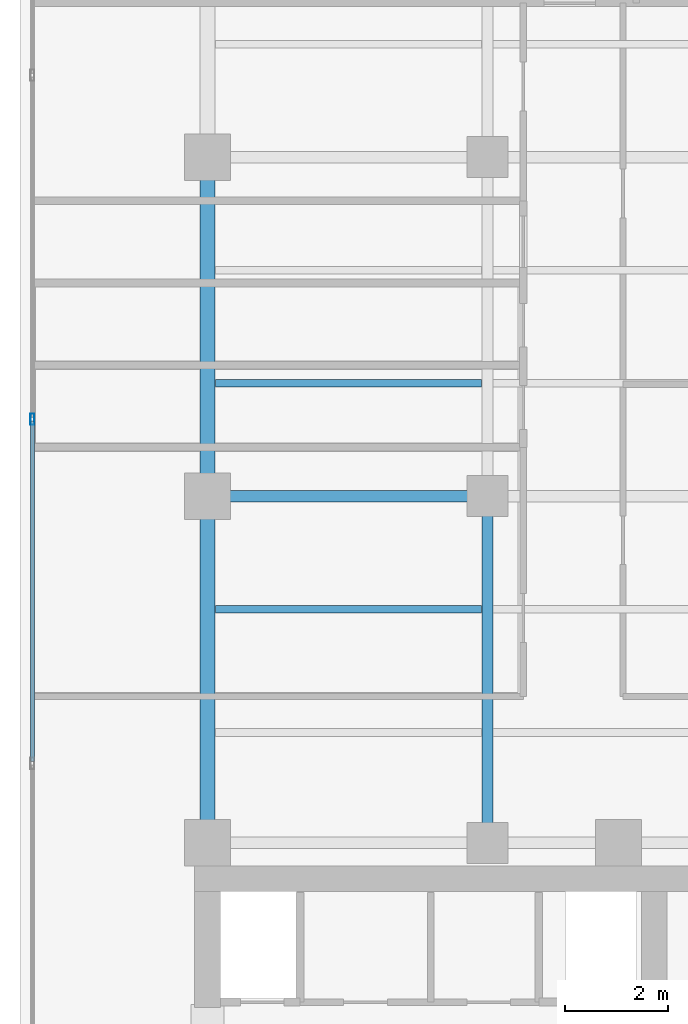
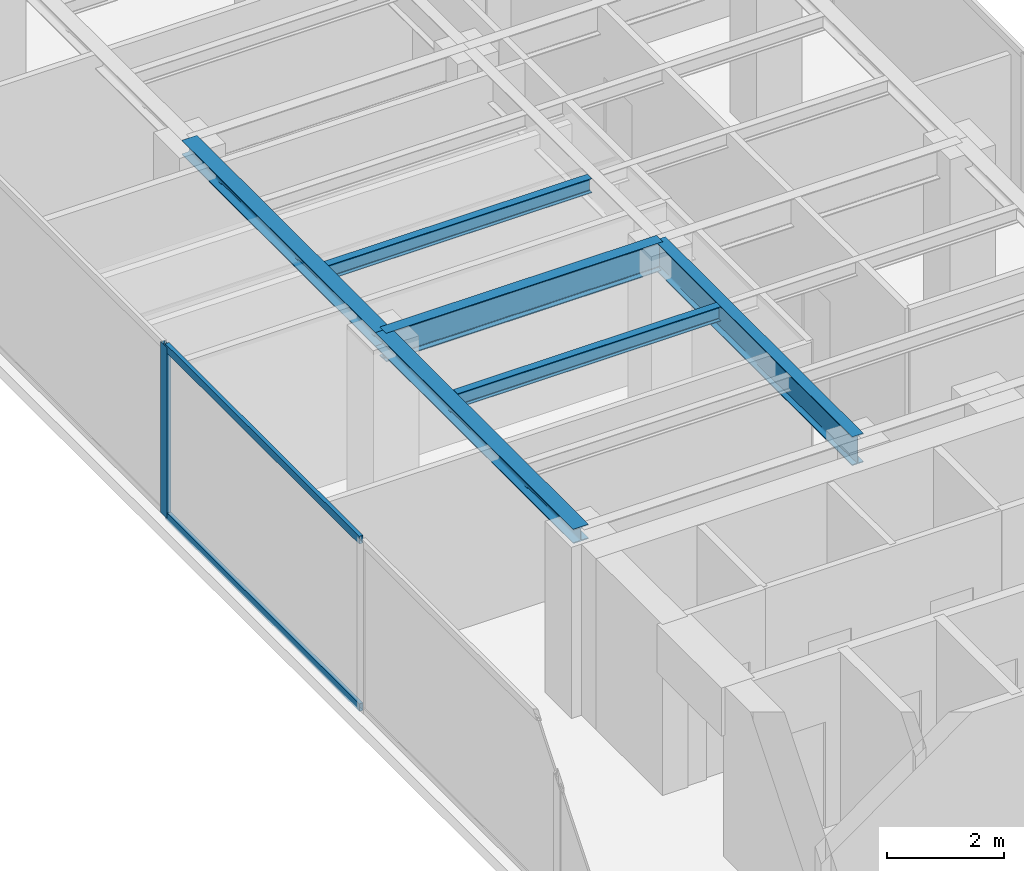
# One storey, part 7 of 23: 6 beams, 3 members, 1 element without a shape of its own.
"""IFC4 building model written with IfcOpenShell, lengths in metres."""

from ifc_helpers import new_model, si_unit, direction, frame, origin, origin_with_axes, origin_2d, place, context, subcontext, project, spatial, hollow_rectangle, i_section, extrude, source, transform, mapped, material, layer, layer_set, material_profile, profile_set, type_object, element, aggregate, save


model = new_model("IFC4")

# Units and contexts
model_context = context("Model", 3, precision=1e-05, world=origin(), true_north=direction((0.0, 1.0)))
body_context = subcontext(model_context, "Body", "Model", "MODEL_VIEW")
ifc_project = project(units=[si_unit("LENGTHUNIT", "METRE"), si_unit("AREAUNIT", "SQUARE_METRE"), si_unit("VOLUMEUNIT", "CUBIC_METRE"), si_unit("PLANEANGLEUNIT", "RADIAN"), si_unit("MASSUNIT", "GRAM", prefix="KILO")], contexts=[model_context])

# Site, building, storey
site_placement = place(None, origin())
site = spatial("IfcSite", under=ifc_project, at=site_placement, CompositionType="ELEMENT")
building_placement = place(site_placement, origin())
building = spatial("IfcBuilding", under=site, at=building_placement, Name="Kolvaren Waterfront Exchange", CompositionType="ELEMENT")
storey_placement = place(building_placement, frame((0.0, 0.0, 304.60009765625)))
storey = spatial("IfcBuildingStorey", under=building, at=storey_placement, Name="L78", CompositionType="ELEMENT", Elevation=304.60009765625)

# Beams
ifc_material_1 = material(Name="Steel S355", Category="steel")
ifc_material_profile_1 = material_profile(ifc_material_1, i_section(OverallWidth=0.300048828125, OverallDepth=0.300048828125, WebThickness=0.010986328125, FlangeThickness=0.01904296875, FilletRadius=0.027099609375, at=origin_2d()), Name="HEB300")
ifc_profile_set_1 = profile_set([ifc_material_profile_1], Name="Steel S355")
beam_type_1 = type_object("IfcBeamType", Name="STR-BM-HEB300", PredefinedType="SPANDREL", material=ifc_profile_set_1)
beam_1_placement = place(storey_placement, frame((7.449951171875, 24.449951171875, 3.409912109375), z_axis=(0.0, 1.0, 0.0), x_axis=(-1.0, 0.0, 0.0)))
element("IfcBeam", 1, at=beam_1_placement, inside=storey, type_object=beam_type_1, Name="L78 north-arm edge beam 1", PredefinedType="SPANDREL", context=body_context, shape_type="SweptSolid", body=[
    extrude(i_section(OverallWidth=0.300048828125, OverallDepth=0.300048828125, WebThickness=0.010986328125, FlangeThickness=0.01904296875, FilletRadius=0.027099609375, at=origin_2d()), origin(), (0.0, 0.0, 1.0), 6.75),
])
beam_2_placement = place(storey_placement, frame((7.449951171875, 31.199951171875, 3.409912109375), z_axis=(0.0, 1.0, 0.0), x_axis=(-1.0, 0.0, 0.0)))
element("IfcBeam", 2, at=beam_2_placement, inside=storey, type_object=beam_type_1, Name="L78 north-arm edge beam 2", PredefinedType="SPANDREL", context=body_context, shape_type="SweptSolid", body=[
    extrude(i_section(OverallWidth=0.300048828125, OverallDepth=0.300048828125, WebThickness=0.010986328125, FlangeThickness=0.01904296875, FilletRadius=0.027099609375, at=origin_2d()), origin(), (0.0, 0.0, 1.0), 6.60009765625),
])
ifc_material_profile_2 = material_profile(ifc_material_1, i_section(OverallWidth=0.14990234375, OverallDepth=0.300048828125, WebThickness=0.007080078125, FlangeThickness=0.0107421875, FilletRadius=0.014892578125, at=origin_2d()), Name="IPE300")
ifc_profile_set_2 = profile_set([ifc_material_profile_2], Name="Steel S355")
beam_type_2 = type_object("IfcBeamType", Name="STR-BM-IPE300", PredefinedType="JOIST", material=ifc_profile_set_2)
for number, where, z_axis, x_axis, name in (
    (3, (7.60205078125, 29.0, 3.409912109375), (1.0, 0.0, 0.0), (0.0, 1.0, 0.0), "L78 north-arm composite joist 2A"),
    (4, (7.60205078125, 33.39990234375, 3.409912109375), (1.0, 0.0, 0.0), (0.0, 1.0, 0.0), "L78 north-arm composite joist 3A"),
):
    element("IfcBeam", number, at=place(storey_placement, frame(where, z_axis=z_axis, x_axis=x_axis)), inside=storey, type_object=beam_type_2, Name=name, PredefinedType="JOIST", context=body_context, shape_type="SweptSolid", body=[
        extrude(i_section(OverallWidth=0.14990234375, OverallDepth=0.300048828125, WebThickness=0.007080078125, FlangeThickness=0.0107421875, FilletRadius=0.014892578125, at=origin_2d()), origin(), (0.0, 0.0, 1.0), 5.18603515625),
    ])
ifc_material_profile_3 = material_profile(ifc_material_1, i_section(OverallWidth=0.219970703125, OverallDepth=0.60009765625, WebThickness=0.011962890625, FlangeThickness=0.01904296875, FilletRadius=0.02392578125, at=origin_2d()), Name="IPE600")
ifc_profile_set_3 = profile_set([ifc_material_profile_3], Name="Steel S355")
beam_type_3 = type_object("IfcBeamType", Name="STR-BM-IPE600", PredefinedType="BEAM", material=ifc_profile_set_3)
beam_3_placement = place(storey_placement, frame((7.449951171875, 31.199951171875, 3.260009765625), z_axis=(1.0, 0.0, 0.0), x_axis=(0.0, 1.0, 0.0)))
element("IfcBeam", 5, at=beam_3_placement, inside=storey, type_object=beam_type_3, Name="L78 north-arm girder 2A", PredefinedType="BEAM", context=body_context, shape_type="SweptSolid", body=[
    extrude(i_section(OverallWidth=0.219970703125, OverallDepth=0.60009765625, WebThickness=0.011962890625, FlangeThickness=0.01904296875, FilletRadius=0.02392578125, at=origin_2d()), origin(), (0.0, 0.0, 1.0), 5.449951171875),
])
beam_4_placement = place(storey_placement, frame((12.89990234375, 24.449951171875, 3.260009765625), z_axis=(0.0, 1.0, 0.0), x_axis=(-1.0, 0.0, 0.0)))
element("IfcBeam", 6, at=beam_4_placement, inside=storey, type_object=beam_type_3, Name="L78 north-arm edge beam 1", PredefinedType="BEAM", context=body_context, shape_type="SweptSolid", body=[
    extrude(i_section(OverallWidth=0.219970703125, OverallDepth=0.60009765625, WebThickness=0.011962890625, FlangeThickness=0.01904296875, FilletRadius=0.02392578125, at=origin_2d()), origin(), (0.0, 0.0, 1.0), 6.75),
])

# Curtain wall, members
ifc_material_2 = material(Name="Anodised aluminium 6063-T6", Category="aluminium")
ifc_layer = layer(ifc_material_2, 0.219970703125, Name="Anodised aluminium 6063-T6")
ifc_layer_set = layer_set([ifc_layer], Name="Anodised aluminium 6063-T6")
curtain_wall_type = type_object("IfcCurtainWallType", Name="ARC-CW-SYS2", PredefinedType="USERDEFINED", material=ifc_layer_set)
curtain_wall_placement = place(storey_placement, origin())
curtain_wall = element("IfcCurtainWall", 7, at=curtain_wall_placement, inside=storey, type_object=curtain_wall_type, Name="L78 stick curtain wall CW2 (CW-L78-W)", ObjectType="STICK CURTAIN WALL", PredefinedType="USERDEFINED")
ifc_material_profile_4 = material_profile(ifc_material_2, hollow_rectangle(XDim=0.080078125, YDim=0.219970703125, WallThickness=0.0048828125, at=origin_2d()), Name="ALU-MUL-220x80x5")
ifc_profile_set_4 = profile_set([ifc_material_profile_4], Name="Anodised aluminium 6063-T6")
member_type_1 = type_object("IfcMemberType", Name="ARC-CWM-220", PredefinedType="MULLION", material=ifc_profile_set_4)
shared_shape_1 = source(origin_with_axes(), body_context, "Body", "SweptSolid", [
    extrude(hollow_rectangle(XDim=0.080078125, YDim=0.219970703125, WallThickness=0.0048828125, at=origin_2d()), origin(), (0.0, 0.0, 1.0), 3.559814453125),
])
member_1_placement = place(storey_placement, frame((4.0400390625, 32.696533203125, 0.0), z_axis=(0.0, 0.0, 1.0), x_axis=(-1.0, 0.0, 0.0)))
member_1 = element("IfcMember", 8, at=member_1_placement, type_object=member_type_1, Name="CW2 mullion 5", PredefinedType="MULLION", context=body_context, shape_type="MappedRepresentation", body=[
    mapped(shared_shape_1, transform((0.0, 0.0, 0.0), x_axis=(1.0, 0.0, 0.0), y_axis=(0.0, 1.0, 0.0), z_axis=(0.0, 0.0, 1.0), scale=1.0)),
])
ifc_material_profile_5 = material_profile(ifc_material_2, hollow_rectangle(XDim=0.074951171875, YDim=0.159912109375, WallThickness=0.00439453125, at=origin_2d()), Name="ALU-TRN-160x75x4.5")
ifc_profile_set_5 = profile_set([ifc_material_profile_5], Name="Anodised aluminium 6063-T6")
member_type_2 = type_object("IfcMemberType", Name="ARC-CWT-160", PredefinedType="USERDEFINED", material=ifc_profile_set_5)
shared_shape_2 = source(origin_with_axes(), body_context, "Body", "SweptSolid", [
    extrude(hollow_rectangle(XDim=0.074951171875, YDim=0.159912109375, WallThickness=0.00439453125, at=origin_2d()), origin(), (0.0, 0.0, 1.0), 6.619140625),
])
member_2_placement = place(storey_placement, frame((4.0400390625, 26.037353515625, 0.037353515625), z_axis=(0.0, 1.0, 0.0), x_axis=(-1.0, 0.0, 0.0)))
member_2 = element("IfcMember", 9, at=member_2_placement, type_object=member_type_2, Name="CW2 transom 4.1", ObjectType="TRANSOM", PredefinedType="USERDEFINED", context=body_context, shape_type="MappedRepresentation", body=[
    mapped(shared_shape_2, transform((0.0, 0.0, 0.0), x_axis=(1.0, 0.0, 0.0), y_axis=(0.0, 1.0, 0.0), z_axis=(0.0, 0.0, 1.0), scale=1.0)),
])
member_3_placement = place(storey_placement, frame((4.0400390625, 26.037353515625, 3.5224609375), z_axis=(0.0, 1.0, 0.0), x_axis=(-1.0, 0.0, 0.0)))
member_3 = element("IfcMember", 10, at=member_3_placement, type_object=member_type_2, Name="CW2 transom 4.2", ObjectType="TRANSOM", PredefinedType="USERDEFINED", context=body_context, shape_type="MappedRepresentation", body=[
    mapped(shared_shape_2, transform((0.0, 0.0, 0.0), x_axis=(1.0, 0.0, 0.0), y_axis=(0.0, 1.0, 0.0), z_axis=(0.0, 0.0, 1.0), scale=1.0)),
])
aggregate(curtain_wall, [member_1, member_2, member_3])

save(model, "model.ifc")
